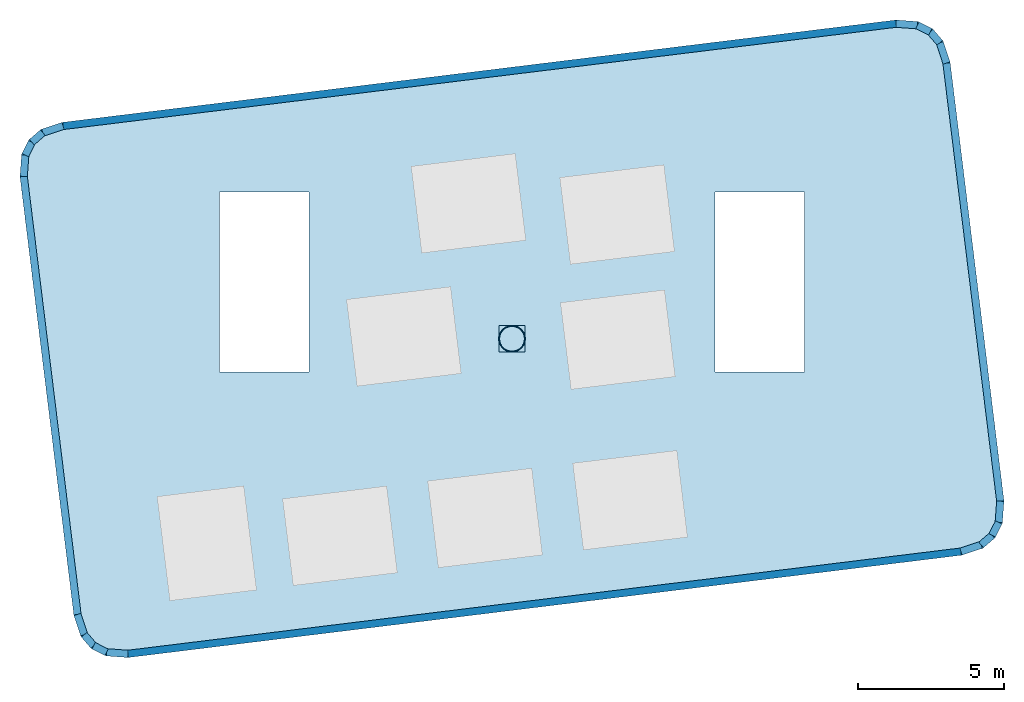
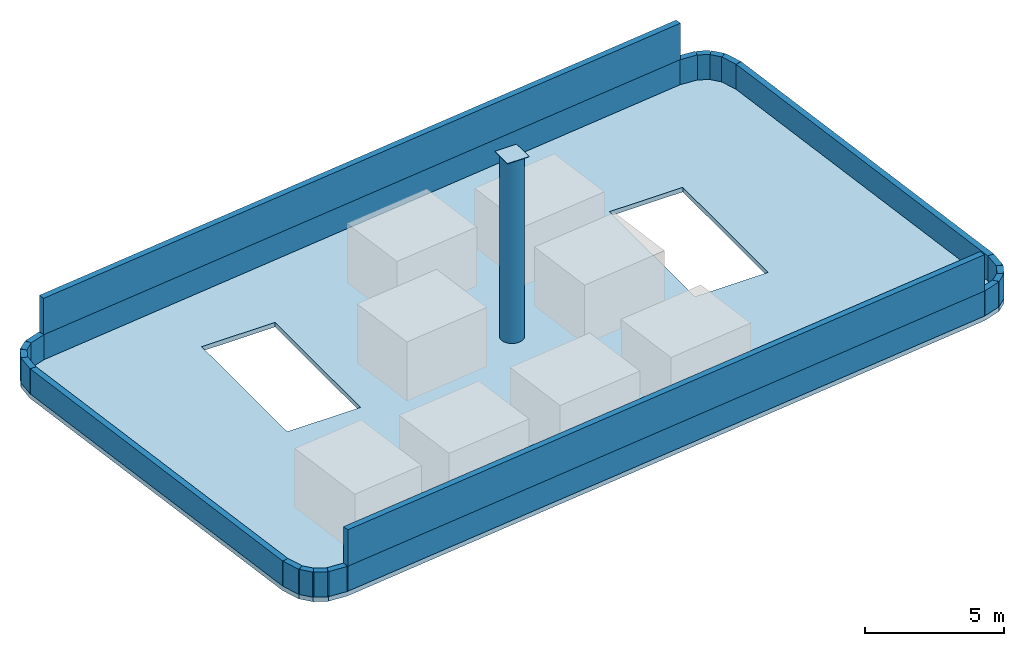
# One storey, part 1 of 2: 22 walls, 1 member, 1 plate, 1 slab.
"""IFC4 building model written with IfcOpenShell, lengths in metres."""

from ifc_helpers import new_model, si_unit, direction, frame, frame_2d, origin, origin_2d, place, context, subcontext, project, spatial, polyline, rectangle, hollow_circle, outline, extrude, material, layer, layer_set, material_profile, profile_set, type_object, element, save


model = new_model("IFC4")

# Units and contexts
model_context = context("Model", 3, precision=1e-05, world=origin(), true_north=direction((0.0, 1.0)))
body_context = subcontext(model_context, "Body", "Model", "MODEL_VIEW")
ifc_project = project(units=[si_unit("LENGTHUNIT", "METRE"), si_unit("AREAUNIT", "SQUARE_METRE"), si_unit("VOLUMEUNIT", "CUBIC_METRE"), si_unit("PLANEANGLEUNIT", "RADIAN"), si_unit("MASSUNIT", "GRAM", prefix="KILO")], contexts=[model_context])

# Site, building, storey
site_placement = place(None, origin())
site = spatial("IfcSite", under=ifc_project, at=site_placement, CompositionType="ELEMENT")
building_placement = place(site_placement, origin())
building = spatial("IfcBuilding", under=site, at=building_placement, Name="Torana Hotel and Residences", CompositionType="ELEMENT")
storey_placement = place(building_placement, frame((0.0, 0.0, 375.60009765625)))
storey = spatial("IfcBuildingStorey", under=building, at=storey_placement, Name="ROOF", CompositionType="ELEMENT", Elevation=375.60009765625)

# Member
ifc_material_1 = material(Name="Steel S355", Category="steel")
ifc_material_profile = material_profile(ifc_material_1, hollow_circle(Radius=0.449951171875, WallThickness=0.02001953125, at=origin_2d()), Name="CHS 900x20")
ifc_profile_set = profile_set([ifc_material_profile], Name="Steel S355")
member_type = type_object("IfcMemberType", Name="MS1 MAST CHS 900", PredefinedType="USERDEFINED", material=ifc_profile_set)
member_placement = place(storey_placement, frame((0.0, -7.364990234375, 0.0), z_axis=(0.0, 0.0, 1.0), x_axis=(1.0, 0.0, 0.0)))
element("IfcMember", 1, at=member_placement, inside=storey, type_object=member_type, Name="Mast", ObjectType="MAST", PredefinedType="USERDEFINED", context=body_context, shape_type="SweptSolid", body=[
    extrude(hollow_circle(Radius=0.449951171875, WallThickness=0.02001953125, at=origin_2d()), origin(), (0.0, 0.0, 1.0), 8.0),
])

# Plate
ifc_material_2 = material(Name="Steel S355", Category="steel")
ifc_layer_1 = layer(ifc_material_2, 0.02001953125)
ifc_layer_set_1 = layer_set([ifc_layer_1], Name="STEEL END PLATE 20")
plate_type = type_object("IfcPlateType", Name="STEEL END PLATE 20", PredefinedType="SHEET", material=ifc_layer_set_1)
plate_placement = place(storey_placement, frame((0.0, -7.364990234375, 8.0), z_axis=(0.0, 0.0, 1.0), x_axis=(1.0, 0.0, 0.0)))
element("IfcPlate", 2, at=plate_placement, inside=storey, type_object=plate_type, Name="End plate ROOF", PredefinedType="SHEET", context=body_context, shape_type="SweptSolid", body=[
    extrude(rectangle(XDim=0.89990234375, YDim=0.89990234375, at=origin_2d()), origin(), (0.0, 0.0, 1.0), 0.02001953125),
])

# Slab
ifc_material_3 = material(Name="Steel S355", Category="steel")
ifc_layer_2 = layer(ifc_material_3, 0.199951171875)
ifc_layer_set_2 = layer_set([ifc_layer_2], Name="TR2 ENCLOSURE ROOF 200")
slab_type = type_object("IfcSlabType", Name="TR2 ENCLOSURE ROOF 200", PredefinedType="ROOF", material=ifc_layer_set_2)
slab_placement = place(storey_placement, frame((0.0, 0.0, -0.2001953125)))
element("IfcSlab", 3, at=slab_placement, inside=storey, type_object=slab_type, Name="Plant enclosure roof", PredefinedType="ROOF", context=body_context, shape_type="SweptSolid", body=[
    extrude(outline(polyline([(14.984375, 2.0908203125), (16.826904296875, -12.9150390625), (16.77001953125, -13.680908203125), (16.523681640625, -14.169189453125), (16.109375, -14.5263671875), (15.3798828125, -14.766845703125), (-13.132568359375, -18.267578125), (-13.8984375, -18.210693359375), (-14.38671875, -17.964599609375), (-14.743896484375, -17.55029296875), (-14.984375, -16.82080078125), (-16.826904296875, -1.81494140625), (-16.77001953125, -1.049072265625), (-16.523681640625, -0.560791015625), (-16.109375, -0.20361328125), (-15.3798828125, 0.036865234375), (13.132568359375, 3.53759765625), (13.8984375, 3.480712890625), (14.38671875, 3.234619140625), (14.743896484375, 2.8203125), (14.984375, 2.0908203125)]), holes=[polyline([(-10.0, -8.5), (-6.949951171875, -8.5), (-6.949951171875, -2.340087890625), (-10.0, -2.340087890625), (-10.0, -8.5)]), polyline([(6.949951171875, -8.5), (10.0, -8.5), (10.0, -2.340087890625), (6.949951171875, -2.340087890625), (6.949951171875, -8.5)])]), origin(), (0.0, 0.0, 1.0), 0.2001953125),
])

# Walls
ifc_material_4 = material(Name="Aluminium louvre wall", Category="aluminium")
ifc_layer_3 = layer(ifc_material_4, 0.25)
ifc_layer_set_3 = layer_set([ifc_layer_3], Name="EW3 LOUVRE WALL 250")
wall_type_1 = type_object("IfcWallType", Name="EW3 LOUVRE WALL 250", PredefinedType="SOLIDWALL", material=ifc_layer_set_3)
for number, where, z_axis, x_axis, name in (
    (4, (15.3525390625, -14.644287109375, 1.099853515625), (0.0, 0.0, 1.0), (-0.992546524159, -0.121866309457, 0.0), "Plant roof louvre screen 6"),
    (5, (-15.3525390625, -0.085693359375, 1.099853515625), (0.0, 0.0, 1.0), (0.992546524159, 0.121866309457, 0.0), "Plant roof louvre screen 16"),
):
    element("IfcWall", number, at=place(storey_placement, frame(where, z_axis=z_axis, x_axis=x_axis)), inside=storey, type_object=wall_type_1, Name=name, PredefinedType="SOLIDWALL", context=body_context, shape_type="SweptSolid", body=[
        extrude(rectangle(XDim=28.701904296875, YDim=0.25, at=frame_2d((14.35107421875, 0.0))), origin(), (0.0, 0.0, 1.0), 1.60009765625),
    ])
ifc_material_5 = material(Name="Aluminium coping with drip", Category="aluminium")
ifc_layer_4 = layer(ifc_material_5, 0.0029296875, Name="Coping flashing", Category="flashing")
ifc_material_6 = material(Name="Concrete C40/50 precast", Category="concrete")
ifc_layer_5 = layer(ifc_material_6, 0.00390625, Name="Cladding", Category="cladding")
ifc_material_7 = material(Name="Concrete C40/50", Category="concrete")
ifc_layer_6 = layer(ifc_material_7, 0.199951171875, Name="Wall", Category="structure")
ifc_material_8 = material(Name="Mineral wool insulation")
ifc_layer_7 = layer(ifc_material_8, 0.0400390625, Name="Insulation", Category="insulation")
ifc_material_9 = material(Name="Waterproofing upstand")
ifc_layer_8 = layer(ifc_material_9, 0.0029296875, Name="Upstand membrane", Category="membrane")
ifc_layer_set_4 = layer_set([ifc_layer_4, ifc_layer_5, ifc_layer_6, ifc_layer_7, ifc_layer_8], Name="PP1 PARAPET 250")
wall_type_2 = type_object("IfcWallType", Name="PP1 PARAPET 250", PredefinedType="PARAPET", material=ifc_layer_set_4)
wall_1_placement = place(storey_placement, frame((14.86181640625, 2.0634765625, 0.0), z_axis=(0.0, 0.0, 1.0), x_axis=(0.121858594466, -0.992547471386, 0.0)))
element("IfcWall", 6, at=wall_1_placement, inside=storey, type_object=wall_type_2, Name="Plant roof parapet 1", PredefinedType="PARAPET", context=body_context, shape_type="SweptSolid", body=[
    extrude(rectangle(XDim=15.09423828125, YDim=0.25, at=frame_2d((7.547119140625, 0.0))), origin(), (0.0, 0.0, 1.0), 1.099853515625),
])
wall_2_placement = place(storey_placement, frame((16.701171875, -12.918212890625, 0.0), z_axis=(0.0, 0.0, 1.0), x_axis=(-0.073859375082, -0.997268666264, 0.0)))
element("IfcWall", 7, at=wall_2_placement, inside=storey, type_object=wall_type_2, Name="Plant roof parapet 2", PredefinedType="PARAPET", context=body_context, shape_type="SweptSolid", body=[
    extrude(rectangle(XDim=0.73046875, YDim=0.25, at=frame_2d((0.365234375, 0.0))), origin(), (0.0, 0.0, 1.0), 1.099853515625),
])
for number, where, z_axis, x_axis, name in (
    (8, (16.647216796875, -13.646728515625, 0.0), (0.0, 0.0, 1.0), (-0.450156579005, -0.892949637089, 0.0), "Plant roof parapet 3"),
    (9, (16.42333984375, -14.0908203125, 0.0), (0.0, 0.0, 1.0), (-0.757903628682, -0.652366530128, 0.0), "Plant roof parapet 4"),
):
    element("IfcWall", number, at=place(storey_placement, frame(where, z_axis=z_axis, x_axis=x_axis)), inside=storey, type_object=wall_type_2, Name=name, PredefinedType="PARAPET", context=body_context, shape_type="SweptSolid", body=[
        extrude(rectangle(XDim=0.497314453125, YDim=0.25, at=frame_2d((0.24853515625, 0.0))), origin(), (0.0, 0.0, 1.0), 1.099853515625),
    ])
wall_3_placement = place(storey_placement, frame((16.04638671875, -14.415283203125, 0.0), z_axis=(0.0, 0.0, 1.0), x_axis=(-0.949614727085, -0.313419638989, 0.0)))
element("IfcWall", 10, at=wall_3_placement, inside=storey, type_object=wall_type_2, Name="Plant roof parapet 5", PredefinedType="PARAPET", context=body_context, shape_type="SweptSolid", body=[
    extrude(rectangle(XDim=0.730712890625, YDim=0.25, at=frame_2d((0.365234375, 0.0))), origin(), (0.0, 0.0, 1.0), 1.099853515625),
])
wall_4_placement = place(storey_placement, frame((15.3525390625, -14.644287109375, 0.0), z_axis=(0.0, 0.0, 1.0), x_axis=(-0.992546524159, -0.121866309457, 0.0)))
element("IfcWall", 11, at=wall_4_placement, inside=storey, type_object=wall_type_2, Name="Plant roof parapet 6", PredefinedType="PARAPET", context=body_context, shape_type="SweptSolid", body=[
    extrude(rectangle(XDim=28.701904296875, YDim=0.25, at=frame_2d((14.35107421875, 0.0))), origin(), (0.0, 0.0, 1.0), 1.099853515625),
])
wall_5_placement = place(storey_placement, frame((-13.135498046875, -18.14208984375, 0.0), z_axis=(0.0, 0.0, 1.0), x_axis=(-0.997245833351, 0.074167026802, 0.0)))
element("IfcWall", 12, at=wall_5_placement, inside=storey, type_object=wall_type_2, Name="Plant roof parapet 7", PredefinedType="PARAPET", context=body_context, shape_type="SweptSolid", body=[
    extrude(rectangle(XDim=0.730712890625, YDim=0.25, at=frame_2d((0.365234375, 0.0))), origin(), (0.0, 0.0, 1.0), 1.099853515625),
])
wall_6_placement = place(storey_placement, frame((-13.8642578125, -18.087890625, 0.0), z_axis=(0.0, 0.0, 1.0), x_axis=(-0.893146921094, 0.449765024586, 0.0)))
element("IfcWall", 13, at=wall_6_placement, inside=storey, type_object=wall_type_2, Name="Plant roof parapet 8", PredefinedType="PARAPET", context=body_context, shape_type="SweptSolid", body=[
    extrude(rectangle(XDim=0.497314453125, YDim=0.25, at=frame_2d((0.24853515625, 0.0))), origin(), (0.0, 0.0, 1.0), 1.099853515625),
])
wall_7_placement = place(storey_placement, frame((-14.308349609375, -17.8642578125, 0.0), z_axis=(0.0, 0.0, 1.0), x_axis=(-0.652609288406, 0.757694606479, 0.0)))
element("IfcWall", 14, at=wall_7_placement, inside=storey, type_object=wall_type_2, Name="Plant roof parapet 9", PredefinedType="PARAPET", context=body_context, shape_type="SweptSolid", body=[
    extrude(rectangle(XDim=0.4970703125, YDim=0.25, at=frame_2d((0.24853515625, 0.0))), origin(), (0.0, 0.0, 1.0), 1.099853515625),
])
wall_8_placement = place(storey_placement, frame((-14.6328125, -17.487548828125, 0.0), z_axis=(0.0, 0.0, 1.0), x_axis=(-0.313320220596, 0.949647534281, 0.0)))
element("IfcWall", 15, at=wall_8_placement, inside=storey, type_object=wall_type_2, Name="Plant roof parapet 10", PredefinedType="PARAPET", context=body_context, shape_type="SweptSolid", body=[
    extrude(rectangle(XDim=0.73095703125, YDim=0.25, at=frame_2d((0.365478515625, 0.0))), origin(), (0.0, 0.0, 1.0), 1.099853515625),
])
wall_9_placement = place(storey_placement, frame((-14.86181640625, -16.79345703125, 0.0), z_axis=(0.0, 0.0, 1.0), x_axis=(-0.121860550809, 0.992547231197, 0.0)))
element("IfcWall", 16, at=wall_9_placement, inside=storey, type_object=wall_type_2, Name="Plant roof parapet 11", PredefinedType="PARAPET", context=body_context, shape_type="SweptSolid", body=[
    extrude(rectangle(XDim=15.093994140625, YDim=0.25, at=frame_2d((7.546875, 0.0))), origin(), (0.0, 0.0, 1.0), 1.099853515625),
])
wall_10_placement = place(storey_placement, frame((-16.701171875, -1.81201171875, 0.0), z_axis=(0.0, 0.0, 1.0), x_axis=(0.073834766486, 0.997270488512, 0.0)))
element("IfcWall", 17, at=wall_10_placement, inside=storey, type_object=wall_type_2, Name="Plant roof parapet 12", PredefinedType="PARAPET", context=body_context, shape_type="SweptSolid", body=[
    extrude(rectangle(XDim=0.730712890625, YDim=0.25, at=frame_2d((0.365234375, 0.0))), origin(), (0.0, 0.0, 1.0), 1.099853515625),
])
for number, where, z_axis, x_axis, name in (
    (18, (-16.647216796875, -1.083251953125, 0.0), (0.0, 0.0, 1.0), (0.450156579005, 0.892949637089, 0.0), "Plant roof parapet 13"),
    (19, (-16.42333984375, -0.63916015625, 0.0), (0.0, 0.0, 1.0), (0.757903628682, 0.652366530128, 0.0), "Plant roof parapet 14"),
):
    element("IfcWall", number, at=place(storey_placement, frame(where, z_axis=z_axis, x_axis=x_axis)), inside=storey, type_object=wall_type_2, Name=name, PredefinedType="PARAPET", context=body_context, shape_type="SweptSolid", body=[
        extrude(rectangle(XDim=0.497314453125, YDim=0.25, at=frame_2d((0.24853515625, 0.0))), origin(), (0.0, 0.0, 1.0), 1.099853515625),
    ])
wall_11_placement = place(storey_placement, frame((-16.04638671875, -0.314697265625, 0.0), z_axis=(0.0, 0.0, 1.0), x_axis=(0.949614727085, 0.313419638989, 0.0)))
element("IfcWall", 20, at=wall_11_placement, inside=storey, type_object=wall_type_2, Name="Plant roof parapet 15", PredefinedType="PARAPET", context=body_context, shape_type="SweptSolid", body=[
    extrude(rectangle(XDim=0.730712890625, YDim=0.25, at=frame_2d((0.365234375, 0.0))), origin(), (0.0, 0.0, 1.0), 1.099853515625),
])
wall_12_placement = place(storey_placement, frame((-15.3525390625, -0.085693359375, 0.0), z_axis=(0.0, 0.0, 1.0), x_axis=(0.992546524159, 0.121866309457, 0.0)))
element("IfcWall", 21, at=wall_12_placement, inside=storey, type_object=wall_type_2, Name="Plant roof parapet 16", PredefinedType="PARAPET", context=body_context, shape_type="SweptSolid", body=[
    extrude(rectangle(XDim=28.701904296875, YDim=0.25, at=frame_2d((14.35107421875, 0.0))), origin(), (0.0, 0.0, 1.0), 1.099853515625),
])
wall_13_placement = place(storey_placement, frame((13.135498046875, 3.412109375, 0.0), z_axis=(0.0, 0.0, 1.0), x_axis=(0.997245833351, -0.074167026802, 0.0)))
element("IfcWall", 22, at=wall_13_placement, inside=storey, type_object=wall_type_2, Name="Plant roof parapet 17", PredefinedType="PARAPET", context=body_context, shape_type="SweptSolid", body=[
    extrude(rectangle(XDim=0.730712890625, YDim=0.25, at=frame_2d((0.365234375, 0.0))), origin(), (0.0, 0.0, 1.0), 1.099853515625),
])
wall_14_placement = place(storey_placement, frame((13.8642578125, 3.35791015625, 0.0), z_axis=(0.0, 0.0, 1.0), x_axis=(0.893146921094, -0.449765024586, 0.0)))
element("IfcWall", 23, at=wall_14_placement, inside=storey, type_object=wall_type_2, Name="Plant roof parapet 18", PredefinedType="PARAPET", context=body_context, shape_type="SweptSolid", body=[
    extrude(rectangle(XDim=0.497314453125, YDim=0.25, at=frame_2d((0.24853515625, 0.0))), origin(), (0.0, 0.0, 1.0), 1.099853515625),
])
wall_15_placement = place(storey_placement, frame((14.308349609375, 3.13427734375, 0.0), z_axis=(0.0, 0.0, 1.0), x_axis=(0.652609288406, -0.757694606479, 0.0)))
element("IfcWall", 24, at=wall_15_placement, inside=storey, type_object=wall_type_2, Name="Plant roof parapet 19", PredefinedType="PARAPET", context=body_context, shape_type="SweptSolid", body=[
    extrude(rectangle(XDim=0.4970703125, YDim=0.25, at=frame_2d((0.24853515625, 0.0))), origin(), (0.0, 0.0, 1.0), 1.099853515625),
])
wall_16_placement = place(storey_placement, frame((14.6328125, 2.757568359375, 0.0), z_axis=(0.0, 0.0, 1.0), x_axis=(0.313320220596, -0.949647534281, 0.0)))
element("IfcWall", 25, at=wall_16_placement, inside=storey, type_object=wall_type_2, Name="Plant roof parapet 20", PredefinedType="PARAPET", context=body_context, shape_type="SweptSolid", body=[
    extrude(rectangle(XDim=0.73095703125, YDim=0.25, at=frame_2d((0.365478515625, 0.0))), origin(), (0.0, 0.0, 1.0), 1.099853515625),
])

save(model, "model.ifc")
